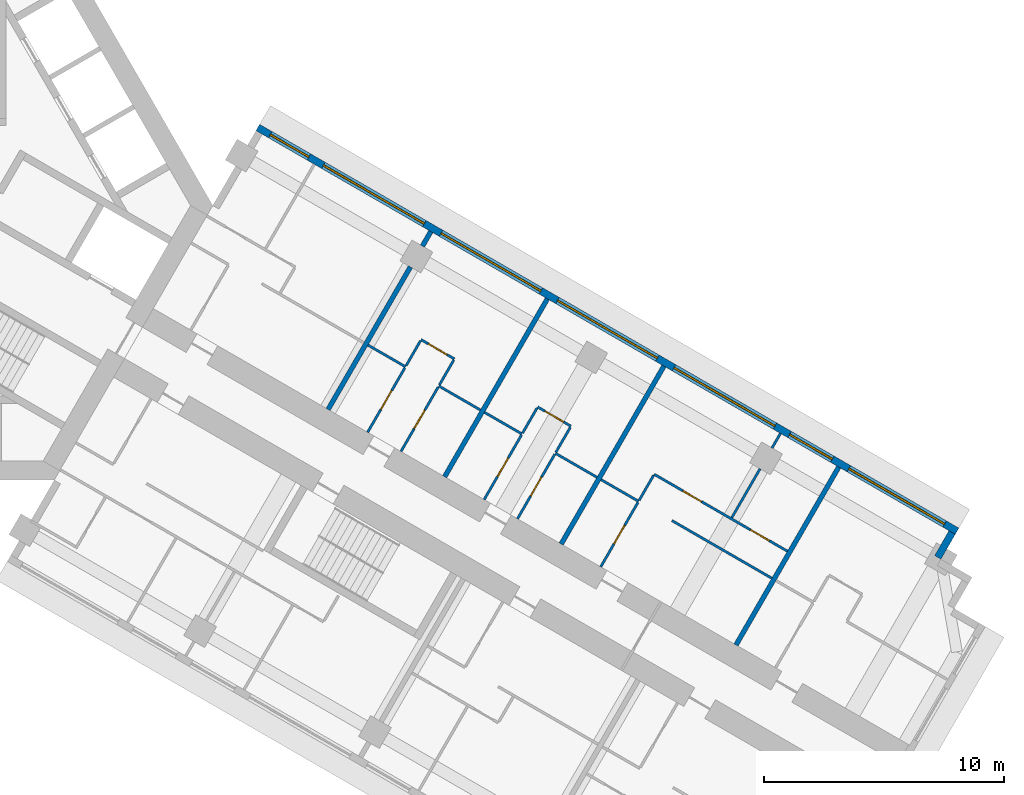
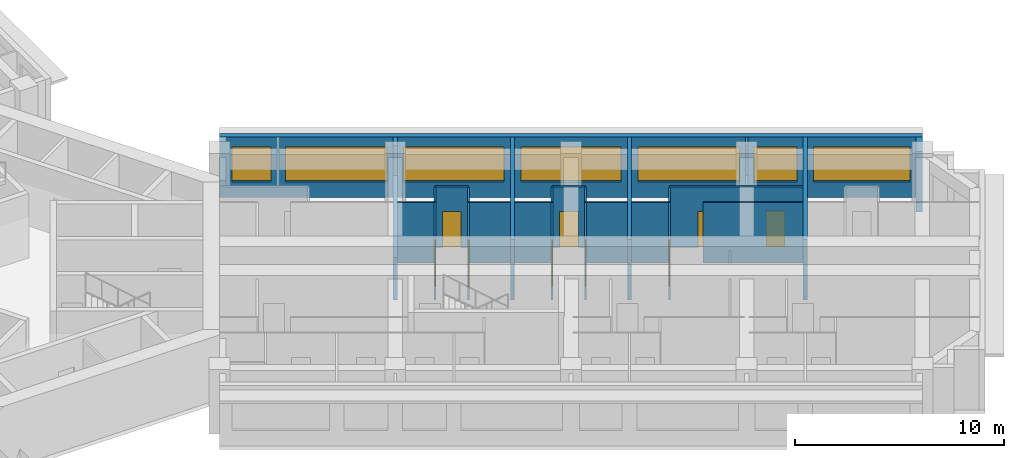
# One storey, part 12 of 14: 28 walls, 9 doors, 7 windows, 16 openings.
"""IFC4 building model written with IfcOpenShell, lengths in metres."""

import ifcopenshell
import ifcopenshell.guid

model = None  # the IFC model being written
_history = None  # IfcOwnerHistory: only IFC2X3 demands one
_inside = {}  # id of a spatial element -> (the spatial element, [elements in it])
_under = {}  # id of a project, library or spatial element -> (it, [spatial elements below it])
_declared = {}  # id of a project -> (the project, [libraries it declares])
_typed = {}  # id of a type object -> (the type object, [elements of that type])
_made_of = {}  # id of a material, layer set ... -> (it, [elements and type objects made of it])


def new_model(schema):
    """Start an empty IFC model of exactly this schema.

    Asked for "IFC4X3", IfcOpenShell would pick the latest addendum, in which some entities
    have other attributes; the version numbers below select the first issue.
    IFC2X3 requires an IfcOwnerHistory on every rooted entity: one is made here for all.
    """
    global model, _history
    if schema == "IFC4X3":
        model = ifcopenshell.file(schema_version=(4, 3, 0, 0))
    else:
        model = ifcopenshell.file(schema=schema)
    _inside.clear()
    _under.clear()
    _declared.clear()
    _typed.clear()
    _made_of.clear()
    _history = None
    if model.schema == "IFC2X3":
        org = make("IfcOrganization", Name="unknown")
        user = make(
            "IfcPersonAndOrganization",
            ThePerson=make("IfcPerson", FamilyName="unknown"),
            TheOrganization=org,
        )
        app = make(
            "IfcApplication",
            ApplicationDeveloper=org,
            Version="unknown",
            ApplicationFullName="unknown",
            ApplicationIdentifier="unknown",
        )
        _history = make(
            "IfcOwnerHistory",
            OwningUser=user,
            OwningApplication=app,
            ChangeAction="ADDED",
            CreationDate=0,
        )
    return model


def make(cls, **values):
    """One entity of the class cls with the attributes given. An attribute that is None is left unset."""
    return model.create_entity(
        cls, **{name: value for name, value in values.items() if value is not None}
    )


def rooted(cls, **values):
    """An entity with a GlobalId (a new one), such as an element, a storey or a relation."""
    return make(cls, GlobalId=ifcopenshell.guid.new(), OwnerHistory=_history, **values)


def si_unit(unit_type, name, prefix=None):
    """IfcSIUnit, for example si_unit("LENGTHUNIT", "METRE", prefix="MILLI")."""
    return make("IfcSIUnit", UnitType=unit_type, Prefix=prefix, Name=name)


def assignment(units):
    """IfcUnitAssignment: the units of a project."""
    return None if units is None else make("IfcUnitAssignment", Units=units)


def point(xyz):
    """IfcCartesianPoint."""
    return None if xyz is None else make("IfcCartesianPoint", Coordinates=xyz)


def direction(xyz):
    """IfcDirection."""
    return None if xyz is None else make("IfcDirection", DirectionRatios=xyz)


def frame(location, z_axis=None, x_axis=None):
    """IfcAxis2Placement3D, a coordinate frame: its origin and axes. An axis left out is left unset."""
    return make(
        "IfcAxis2Placement3D",
        Location=point(location),
        Axis=direction(z_axis),
        RefDirection=direction(x_axis),
    )


def frame_2d(location, x_axis=None):
    """IfcAxis2Placement2D, a coordinate frame in the plane: its origin and x axis."""
    return make(
        "IfcAxis2Placement2D", Location=point(location), RefDirection=direction(x_axis)
    )


def origin():
    """The frame at (0, 0, 0) with its axes left unset."""
    return frame((0.0, 0.0, 0.0))


def place(relative_to, where):
    """IfcLocalPlacement: puts the frame where relative to a parent placement (None: the world)."""
    return make(
        "IfcLocalPlacement", PlacementRelTo=relative_to, RelativePlacement=where
    )


def context(
    kind, dimensions, precision=None, world=None, true_north=None, identifier=None
):
    """IfcGeometricRepresentationContext, for example the 3D "Model" context."""
    return make(
        "IfcGeometricRepresentationContext",
        ContextIdentifier=identifier,
        ContextType=kind,
        CoordinateSpaceDimension=dimensions,
        Precision=precision,
        WorldCoordinateSystem=world,
        TrueNorth=true_north,
    )


def subcontext(parent, identifier, kind, view, scale=None):
    """IfcGeometricRepresentationSubContext, for example "Body" below "Model"."""
    return make(
        "IfcGeometricRepresentationSubContext",
        ContextIdentifier=identifier,
        ContextType=kind,
        ParentContext=parent,
        TargetScale=scale,
        TargetView=view,
    )


def project(units=None, contexts=None):
    """IfcProject with its units and contexts."""
    return rooted(
        "IfcProject",
        Name="project",
        RepresentationContexts=contexts,
        UnitsInContext=assignment(units),
    )


def spatial(cls, under=None, at=None, **own):
    """A site, building, storey or space (cls), placed at a placement, below another one or the project."""
    s = rooted(cls, ObjectPlacement=at, **own)
    if under is not None:
        _under.setdefault(under.id(), (under, []))[1].append(s)
    return s


def profile(cls, at=None, kind="AREA", **sizes):
    """A parametric profile (cls). Its sizes go by their IFC names, for example OverallWidth=200.0."""
    return make(cls, ProfileType=kind, Position=at, **sizes)


def rectangle(**sizes):
    """IfcRectangleProfileDef."""
    return profile("IfcRectangleProfileDef", **sizes)


def extrude(swept, where, along, depth):
    """IfcExtrudedAreaSolid: the profile swept, set in the frame where, extruded along a direction by depth."""
    return make(
        "IfcExtrudedAreaSolid",
        SweptArea=swept,
        Position=where,
        ExtrudedDirection=direction(along),
        Depth=depth,
    )


def shape(context_of_items, identifier, shape_type, items):
    """IfcShapeRepresentation: the items that make up one representation, for example the "Body"."""
    return make(
        "IfcShapeRepresentation",
        ContextOfItems=context_of_items,
        RepresentationIdentifier=identifier,
        RepresentationType=shape_type,
        Items=items,
    )


def material(Name=None, Category=None):
    """IfcMaterial."""
    return make("IfcMaterial", Name=Name, Category=Category)


def layer(
    of_material, thickness, ventilated=None, Name=None, Category=None, Priority=None
):
    """IfcMaterialLayer: one layer of a wall or slab, of a material (None: an air gap)."""
    return make(
        "IfcMaterialLayer",
        Material=of_material,
        LayerThickness=thickness,
        IsVentilated=ventilated,
        Name=Name,
        Category=Category,
        Priority=Priority,
    )


def layer_set(layers, Name=None):
    """IfcMaterialLayerSet."""
    return make("IfcMaterialLayerSet", MaterialLayers=layers, LayerSetName=Name)


def made_of(thing, what):
    """Note that an element or type object is made of a material, layer set ...; save() writes the relation."""
    if what is not None:
        _made_of.setdefault(what.id(), (what, []))[1].append(thing)
    return thing


def type_object(cls, material=None, **own):
    """A type object (cls), such as IfcWallType, which elements share."""
    return made_of(rooted(cls, **own), material)


def element(
    cls,
    number,
    at=None,
    inside=None,
    cuts=None,
    type_object=None,
    material=None,
    context=None,
    identifier="Body",
    shape_type=None,
    held_by="IfcProductDefinitionShape",
    body=None,
    shapes=None,
    **own,
):
    """One element of the class cls, such as IfcWall. Its Tag is "e" and its number.

    at: its placement. inside: the storey or other place that contains it. cuts: it is an
    opening in that element (IfcRelVoidsElement). A single representation is given by context,
    identifier, shape_type and body (its items); several are given by shapes. held_by: the class
    of the entity that holds the representations. save() writes the other relations.
    """
    e = rooted(cls, Tag="e%d" % number, ObjectPlacement=at, **own)
    if body is not None:
        shapes = [shape(context, identifier, shape_type, body)]
    if shapes is not None:
        e.Representation = make(held_by, Representations=shapes)
    if inside is not None:
        _inside.setdefault(inside.id(), (inside, []))[1].append(e)
    if cuts is not None:
        rooted(
            "IfcRelVoidsElement", RelatingBuildingElement=cuts, RelatedOpeningElement=e
        )
    if type_object is not None:
        _typed.setdefault(type_object.id(), (type_object, []))[1].append(e)
    return made_of(e, material)


def fill(opening, filler):
    """IfcRelFillsElement: the door or window that sits in an opening."""
    return rooted(
        "IfcRelFillsElement",
        RelatingOpeningElement=opening,
        RelatedBuildingElement=filler,
    )


def aggregate(whole, parts):
    """IfcRelAggregates: a whole, such as a stair, and the parts it consists of."""
    return rooted("IfcRelAggregates", RelatingObject=whole, RelatedObjects=parts)


def save(model, path):
    """Write the relations noted so far, then the file.

    IfcRelAggregates (storeys below a building ...), IfcRelContainedInSpatialStructure (elements
    in a storey), IfcRelDefinesByType, IfcRelAssociatesMaterial and IfcRelDeclares: one each for
    every whole, place, type object, material and project.
    """
    for whole, parts in _under.values():
        aggregate(whole, parts)
    for where, things in _inside.values():
        rooted(
            "IfcRelContainedInSpatialStructure",
            RelatedElements=things,
            RelatingStructure=where,
        )
    for kind, things in _typed.values():
        rooted("IfcRelDefinesByType", RelatedObjects=things, RelatingType=kind)
    for what, things in _made_of.values():
        rooted("IfcRelAssociatesMaterial", RelatedObjects=things, RelatingMaterial=what)
    for by, libraries in _declared.values():
        rooted("IfcRelDeclares", RelatingContext=by, RelatedDefinitions=libraries)
    model.write(path)


model = new_model("IFC4")

# Units and contexts
model_context = context("Model", 3, precision=1e-05, world=origin(), true_north=direction((0.0, 1.0)))
body_context = subcontext(model_context, "Body", "Model", "MODEL_VIEW")
ifc_project = project(units=[si_unit("LENGTHUNIT", "METRE"), si_unit("AREAUNIT", "SQUARE_METRE"), si_unit("VOLUMEUNIT", "CUBIC_METRE"), si_unit("PLANEANGLEUNIT", "RADIAN"), si_unit("MASSUNIT", "GRAM", prefix="KILO")], contexts=[model_context])

# Site, building, storey
site_placement = place(None, origin())
site = spatial("IfcSite", under=ifc_project, at=site_placement, CompositionType="ELEMENT")
building_placement = place(site_placement, origin())
building = spatial("IfcBuilding", under=site, at=building_placement, Name="Impinga Residences", CompositionType="ELEMENT")
storey_placement = place(building_placement, frame((0.0, 0.0, 117.25)))
storey = spatial("IfcBuildingStorey", under=building, at=storey_placement, Name="L28", CompositionType="ELEMENT", Elevation=117.25)

# Wall, openings, windows
ifc_material_1 = material(Name="Terracotta rainscreen on blockwork", Category="masonry")
ifc_layer_1 = layer(ifc_material_1, 0.300048828125)
ifc_layer_set_1 = layer_set([ifc_layer_1], Name="EW1 external wall, terracotta rainscreen on blockwork 300")
wall_type_1 = type_object("IfcWallType", Name="EW1 external wall, terracotta rainscreen on blockwork 300", PredefinedType="SOLIDWALL", material=ifc_layer_set_1)
wall_1_placement = place(storey_placement, frame((15.074951171875, 3.24755859375, 0.0), z_axis=(0.0, 0.0, 1.0), x_axis=(0.866024291668, -0.500001926238, 0.0)))
wall_1 = element("IfcWall", 1, at=wall_1_placement, inside=storey, type_object=wall_type_1, Name="External wall EW1 L28", PredefinedType="SOLIDWALL", context=body_context, shape_type="SweptSolid", body=[
    extrude(rectangle(XDim=33.599853515625, YDim=0.300048828125, at=frame_2d((16.7998046875, 0.0))), origin(), (0.0, 0.0, 1.0), 3.530029296875),
])
opening_1_placement = place(wall_1_placement, frame((0.60009765625, 0.0, 0.89990234375)))
opening_1 = element("IfcOpeningElement", 2, at=opening_1_placement, cuts=wall_1, Name="Opening W15", PredefinedType="OPENING", context=body_context, shape_type="SweptSolid", body=[
    extrude(rectangle(XDim=1.85009765625, YDim=2.050048828125, at=frame_2d((0.925048828125, 1.02490234375))), frame((0.0, 0.159912109375, 0.0), z_axis=(0.0, -1.0, 0.0), x_axis=(1.0, 0.0, 0.0)), (0.0, 0.0, 1.0), 0.320068359375),
])
opening_2_placement = place(wall_1_placement, frame((3.14990234375, 0.0, 0.89990234375)))
opening_2 = element("IfcOpeningElement", 3, at=opening_2_placement, cuts=wall_1, Name="Opening W6", PredefinedType="OPENING", context=body_context, shape_type="SweptSolid", body=[
    extrude(rectangle(XDim=4.85009765625, YDim=2.050048828125, at=frame_2d((2.425048828125, 1.02490234375))), frame((0.0, 0.159912109375, 0.0), z_axis=(0.0, -1.0, 0.0), x_axis=(1.0, 0.0, 0.0)), (0.0, 0.0, 1.0), 0.320068359375),
])
opening_3_placement = place(wall_1_placement, frame((8.800048828125, 0.0, 0.89990234375)))
opening_3 = element("IfcOpeningElement", 4, at=opening_3_placement, cuts=wall_1, Name="Opening W8", PredefinedType="OPENING", context=body_context, shape_type="SweptSolid", body=[
    extrude(rectangle(XDim=4.800048828125, YDim=2.050048828125, at=frame_2d((2.39990234375, 1.02490234375))), frame((0.0, 0.159912109375, 0.0), z_axis=(0.0, -1.0, 0.0), x_axis=(1.0, 0.0, 0.0)), (0.0, 0.0, 1.0), 0.320068359375),
])
opening_4_placement = place(wall_1_placement, frame((14.39990234375, 0.0, 0.89990234375)))
opening_4 = element("IfcOpeningElement", 5, at=opening_4_placement, cuts=wall_1, Name="Opening W8", PredefinedType="OPENING", context=body_context, shape_type="SweptSolid", body=[
    extrude(rectangle(XDim=4.800048828125, YDim=2.050048828125, at=frame_2d((2.39990234375, 1.02490234375))), frame((0.0, 0.159912109375, 0.0), z_axis=(0.0, -1.0, 0.0), x_axis=(1.0, 0.0, 0.0)), (0.0, 0.0, 1.0), 0.320068359375),
])
opening_5_placement = place(wall_1_placement, frame((20.0, 0.0, 0.89990234375)))
opening_5 = element("IfcOpeningElement", 6, at=opening_5_placement, cuts=wall_1, Name="Opening W6", PredefinedType="OPENING", context=body_context, shape_type="SweptSolid", body=[
    extrude(rectangle(XDim=4.85009765625, YDim=2.050048828125, at=frame_2d((2.425048828125, 1.02490234375))), frame((0.0, 0.159912109375, 0.0), z_axis=(0.0, -1.0, 0.0), x_axis=(1.0, 0.0, 0.0)), (0.0, 0.0, 1.0), 0.320068359375),
])
opening_6_placement = place(wall_1_placement, frame((25.550048828125, 0.0, 0.89990234375)))
opening_6 = element("IfcOpeningElement", 7, at=opening_6_placement, cuts=wall_1, Name="Opening W14", PredefinedType="OPENING", context=body_context, shape_type="SweptSolid", body=[
    extrude(rectangle(XDim=2.050048828125, YDim=2.050048828125, at=frame_2d((1.02490234375, 1.02490234375))), frame((0.0, 0.159912109375, 0.0), z_axis=(0.0, -1.0, 0.0), x_axis=(1.0, 0.0, 0.0)), (0.0, 0.0, 1.0), 0.320068359375),
])
opening_7_placement = place(wall_1_placement, frame((28.39990234375, 0.0, 0.89990234375)))
opening_7 = element("IfcOpeningElement", 8, at=opening_7_placement, cuts=wall_1, Name="Opening W3", PredefinedType="OPENING", context=body_context, shape_type="SweptSolid", body=[
    extrude(rectangle(XDim=4.60009765625, YDim=2.050048828125, at=frame_2d((2.300048828125, 1.02490234375))), frame((0.0, 0.159912109375, 0.0), z_axis=(0.0, -1.0, 0.0), x_axis=(1.0, 0.0, 0.0)), (0.0, 0.0, 1.0), 0.320068359375),
])
ifc_material_2 = material(Name="Aluminium window, clear double glazing", Category="aluminium")
window_type_1 = type_object("IfcWindowType", Name="W14 ribbon window 2050x2050", PartitioningType="SINGLE_PANEL", PredefinedType="WINDOW", material=ifc_material_2)
window_1_placement = place(opening_6_placement, origin())
window_1 = element("IfcWindow", 9, at=window_1_placement, inside=storey, type_object=window_type_1, Name="Window L28", OverallHeight=2.050048828125, OverallWidth=2.050048828125, PartitioningType="SINGLE_PANEL", PredefinedType="WINDOW", context=body_context, shape_type="SweptSolid", body=[
    extrude(rectangle(XDim=2.050048828125, YDim=2.050048828125, at=frame_2d((1.02490234375, 1.02490234375))), frame((0.0, 0.030029296875, 0.0), z_axis=(0.0, -1.0, 0.0), x_axis=(1.0, 0.0, 0.0)), (0.0, 0.0, 1.0), 0.06005859375),
])
fill(opening_6, window_1)
window_type_2 = type_object("IfcWindowType", Name="W15 ribbon window 1850x2050", PartitioningType="SINGLE_PANEL", PredefinedType="WINDOW", material=ifc_material_2)
window_2_placement = place(opening_1_placement, origin())
window_2 = element("IfcWindow", 10, at=window_2_placement, inside=storey, type_object=window_type_2, Name="Window L28", OverallHeight=2.050048828125, OverallWidth=1.85009765625, PartitioningType="SINGLE_PANEL", PredefinedType="WINDOW", context=body_context, shape_type="SweptSolid", body=[
    extrude(rectangle(XDim=1.85009765625, YDim=2.050048828125, at=frame_2d((0.925048828125, 1.02490234375))), frame((0.0, 0.030029296875, 0.0), z_axis=(0.0, -1.0, 0.0), x_axis=(1.0, 0.0, 0.0)), (0.0, 0.0, 1.0), 0.06005859375),
])
fill(opening_1, window_2)
window_type_3 = type_object("IfcWindowType", Name="W3 ribbon window 4600x2050", PartitioningType="SINGLE_PANEL", PredefinedType="WINDOW", material=ifc_material_2)
window_3_placement = place(opening_7_placement, origin())
window_3 = element("IfcWindow", 11, at=window_3_placement, inside=storey, type_object=window_type_3, Name="Window L28", OverallHeight=2.050048828125, OverallWidth=4.60009765625, PartitioningType="SINGLE_PANEL", PredefinedType="WINDOW", context=body_context, shape_type="SweptSolid", body=[
    extrude(rectangle(XDim=4.60009765625, YDim=2.050048828125, at=frame_2d((2.300048828125, 1.02490234375))), frame((0.0, 0.030029296875, 0.0), z_axis=(0.0, -1.0, 0.0), x_axis=(1.0, 0.0, 0.0)), (0.0, 0.0, 1.0), 0.06005859375),
])
fill(opening_7, window_3)
window_type_4 = type_object("IfcWindowType", Name="W6 ribbon window 4850x2050", PartitioningType="SINGLE_PANEL", PredefinedType="WINDOW", material=ifc_material_2)
window_4_placement = place(opening_2_placement, origin())
window_4 = element("IfcWindow", 12, at=window_4_placement, inside=storey, type_object=window_type_4, Name="Window L28", OverallHeight=2.050048828125, OverallWidth=4.85009765625, PartitioningType="SINGLE_PANEL", PredefinedType="WINDOW", context=body_context, shape_type="SweptSolid", body=[
    extrude(rectangle(XDim=4.85009765625, YDim=2.050048828125, at=frame_2d((2.425048828125, 1.02490234375))), frame((0.0, 0.030029296875, 0.0), z_axis=(0.0, -1.0, 0.0), x_axis=(1.0, 0.0, 0.0)), (0.0, 0.0, 1.0), 0.06005859375),
])
fill(opening_2, window_4)
window_5_placement = place(opening_5_placement, origin())
window_5 = element("IfcWindow", 13, at=window_5_placement, inside=storey, type_object=window_type_4, Name="Window L28", OverallHeight=2.050048828125, OverallWidth=4.85009765625, PartitioningType="SINGLE_PANEL", PredefinedType="WINDOW", context=body_context, shape_type="SweptSolid", body=[
    extrude(rectangle(XDim=4.85009765625, YDim=2.050048828125, at=frame_2d((2.425048828125, 1.02490234375))), frame((0.0, 0.030029296875, 0.0), z_axis=(0.0, -1.0, 0.0), x_axis=(1.0, 0.0, 0.0)), (0.0, 0.0, 1.0), 0.06005859375),
])
fill(opening_5, window_5)
window_type_5 = type_object("IfcWindowType", Name="W8 ribbon window 4800x2050", PartitioningType="SINGLE_PANEL", PredefinedType="WINDOW", material=ifc_material_2)
window_6_placement = place(opening_3_placement, origin())
window_6 = element("IfcWindow", 14, at=window_6_placement, inside=storey, type_object=window_type_5, Name="Window L28", OverallHeight=2.050048828125, OverallWidth=4.800048828125, PartitioningType="SINGLE_PANEL", PredefinedType="WINDOW", context=body_context, shape_type="SweptSolid", body=[
    extrude(rectangle(XDim=4.800048828125, YDim=2.050048828125, at=frame_2d((2.39990234375, 1.02490234375))), frame((0.0, 0.030029296875, 0.0), z_axis=(0.0, -1.0, 0.0), x_axis=(1.0, 0.0, 0.0)), (0.0, 0.0, 1.0), 0.06005859375),
])
fill(opening_3, window_6)
window_7_placement = place(opening_4_placement, origin())
window_7 = element("IfcWindow", 15, at=window_7_placement, inside=storey, type_object=window_type_5, Name="Window L28", OverallHeight=2.050048828125, OverallWidth=4.800048828125, PartitioningType="SINGLE_PANEL", PredefinedType="WINDOW", context=body_context, shape_type="SweptSolid", body=[
    extrude(rectangle(XDim=4.800048828125, YDim=2.050048828125, at=frame_2d((2.39990234375, 1.02490234375))), frame((0.0, 0.030029296875, 0.0), z_axis=(0.0, -1.0, 0.0), x_axis=(1.0, 0.0, 0.0)), (0.0, 0.0, 1.0), 0.06005859375),
])
fill(opening_4, window_7)

# Walls
wall_2_placement = place(storey_placement, frame((43.968505859375, -13.607421875, 0.0), z_axis=(0.0, 0.0, 1.0), x_axis=(-0.500029051137, -0.866008630453, 0.0)))
element("IfcWall", 16, at=wall_2_placement, inside=storey, type_object=wall_type_1, Name="External wall EW1 L28", PredefinedType="SOLIDWALL", context=body_context, shape_type="SweptSolid", body=[
    extrude(rectangle(XDim=1.19482421875, YDim=0.300048828125, at=frame_2d((0.597412109375, 0.0))), origin(), (0.0, 0.0, 1.0), 3.530029296875),
])
ifc_material_3 = material(Name="Gypsum board on steel studs", Category="steel")
ifc_layer_2 = layer(ifc_material_3, 0.10009765625)
ifc_layer_set_2 = layer_set([ifc_layer_2], Name="Gypsum board on steel studs")
wall_type_2 = type_object("IfcWallType", Name="IP1 partition 100", PredefinedType="PARTITIONING", material=ifc_layer_set_2)
wall_3_placement = place(storey_placement, frame((19.6611328125, -5.808837890625, 0.0), z_axis=(0.0, 0.0, 1.0), x_axis=(0.866047807691, -0.499961193289, 0.0)))
element("IfcWall", 17, at=wall_3_placement, inside=storey, type_object=wall_type_2, Name="Partition L28-EA2:DIV0", PredefinedType="PARTITIONING", context=body_context, shape_type="SweptSolid", body=[
    extrude(rectangle(XDim=1.800048828125, YDim=0.10009765625, at=frame_2d((0.89990234375, 0.0))), origin(), (0.0, 0.0, 1.0), 3.530029296875),
])
wall_4_placement = place(storey_placement, frame((22.605712890625, -7.5087890625, 0.0), z_axis=(0.0, 0.0, 1.0), x_axis=(0.866010750942, -0.50002537861, 0.0)))
element("IfcWall", 18, at=wall_4_placement, inside=storey, type_object=wall_type_2, Name="Partition L28-EA2:DIV1", PredefinedType="PARTITIONING", context=body_context, shape_type="SweptSolid", body=[
    extrude(rectangle(XDim=2.0, YDim=0.10009765625, at=frame_2d((1.0, 0.0))), origin(), (0.0, 0.0, 1.0), 3.530029296875),
])

# Wall, opening, door
wall_5_placement = place(storey_placement, frame((21.8701171875, -5.5830078125, 0.0), z_axis=(0.0, 0.0, 1.0), x_axis=(0.865989903783, -0.500061482766, 0.0)))
wall_5 = element("IfcWall", 19, at=wall_5_placement, inside=storey, type_object=wall_type_2, Name="Partition L28-EA2:STRIP", PredefinedType="PARTITIONING", context=body_context, shape_type="SweptSolid", body=[
    extrude(rectangle(XDim=1.599853515625, YDim=0.10009765625, at=frame_2d((0.7998046875, 0.0))), origin(), (0.0, 0.0, 1.0), 3.530029296875),
])
opening_8_placement = place(wall_5_placement, frame((0.35009765625, 0.0, 0.0)))
opening_8 = element("IfcOpeningElement", 20, at=opening_8_placement, cuts=wall_5, Name="Opening D2", PredefinedType="OPENING", context=body_context, shape_type="SweptSolid", body=[
    extrude(rectangle(XDim=0.89990234375, YDim=2.10009765625, at=frame_2d((0.449951171875, 1.050048828125))), frame((0.0, 0.06005859375, 0.0), z_axis=(0.0, -1.0, 0.0), x_axis=(1.0, 0.0, 0.0)), (0.0, 0.0, 1.0), 0.1201171875),
])
ifc_material_4 = material(Name="Timber door set", Category="wood")
door_type = type_object("IfcDoorType", Name="D2 internal door 900x2100", OperationType="SINGLE_SWING_LEFT", PredefinedType="DOOR", material=ifc_material_4)
door_1_placement = place(opening_8_placement, origin())
door_1 = element("IfcDoor", 21, at=door_1_placement, inside=storey, type_object=door_type, Name="Apartment L28-EA2 room door", OperationType="SINGLE_SWING_LEFT", OverallHeight=2.10009765625, OverallWidth=0.89990234375, PredefinedType="DOOR", context=body_context, shape_type="SweptSolid", body=[
    extrude(rectangle(XDim=0.89990234375, YDim=2.10009765625, at=frame_2d((0.449951171875, 1.050048828125))), frame((0.0, 0.02490234375, 0.0), z_axis=(0.0, -1.0, 0.0), x_axis=(1.0, 0.0, 0.0)), (0.0, 0.0, 1.0), 0.050048828125),
])
fill(opening_8, door_1)

# Walls
wall_6_placement = place(storey_placement, frame((21.2451171875, -6.66552734375, 0.0), z_axis=(0.0, 0.0, 1.0), x_axis=(0.499880961361, 0.866094119867, 0.0)))
element("IfcWall", 22, at=wall_6_placement, inside=storey, type_object=wall_type_2, Name="Partition L28-EA2:SE0", PredefinedType="PARTITIONING", context=body_context, shape_type="SweptSolid", body=[
    extrude(rectangle(XDim=1.199951171875, YDim=0.10009765625, at=frame_2d((0.60009765625, 0.0))), origin(), (0.0, 0.0, 1.0), 3.530029296875),
])
wall_7_placement = place(storey_placement, frame((22.630615234375, -7.465576171875, 0.0), z_axis=(0.0, 0.0, 1.0), x_axis=(0.500033551112, 0.866006032174, 0.0)))
element("IfcWall", 23, at=wall_7_placement, inside=storey, type_object=wall_type_2, Name="Partition L28-EA2:SE1", PredefinedType="PARTITIONING", context=body_context, shape_type="SweptSolid", body=[
    extrude(rectangle(XDim=1.2001953125, YDim=0.10009765625, at=frame_2d((0.60009765625, 0.0))), origin(), (0.0, 0.0, 1.0), 3.530029296875),
])

# Wall, opening, door
wall_8_placement = place(storey_placement, frame((19.64501953125, -9.436767578125, 0.0), z_axis=(0.0, 0.0, 1.0), x_axis=(0.500026960575, 0.86600983753, 0.0)))
wall_8 = element("IfcWall", 24, at=wall_8_placement, inside=storey, type_object=wall_type_2, Name="Partition L28-EA2:IB1", PredefinedType="PARTITIONING", context=body_context, shape_type="SweptSolid", body=[
    extrude(rectangle(XDim=3.099853515625, YDim=0.10009765625, at=frame_2d((1.5498046875, 0.0))), origin(), (0.0, 0.0, 1.0), 3.530029296875),
])
opening_9_placement = place(wall_8_placement, frame((1.10009765625, 0.0, 0.0)))
opening_9 = element("IfcOpeningElement", 25, at=opening_9_placement, cuts=wall_8, Name="Opening D2", PredefinedType="OPENING", context=body_context, shape_type="SweptSolid", body=[
    extrude(rectangle(XDim=0.89990234375, YDim=2.10009765625, at=frame_2d((0.449951171875, 1.050048828125))), frame((0.0, 0.06005859375, 0.0), z_axis=(0.0, -1.0, 0.0), x_axis=(1.0, 0.0, 0.0)), (0.0, 0.0, 1.0), 0.1201171875),
])
door_2_placement = place(opening_9_placement, origin())
door_2 = element("IfcDoor", 26, at=door_2_placement, inside=storey, type_object=door_type, Name="Apartment L28-EA2 bathroom door", OperationType="SINGLE_SWING_LEFT", OverallHeight=2.10009765625, OverallWidth=0.89990234375, PredefinedType="DOOR", context=body_context, shape_type="SweptSolid", body=[
    extrude(rectangle(XDim=0.89990234375, YDim=2.10009765625, at=frame_2d((0.449951171875, 1.050048828125))), frame((0.0, 0.02490234375, 0.0), z_axis=(0.0, -1.0, 0.0), x_axis=(1.0, 0.0, 0.0)), (0.0, 0.0, 1.0), 0.050048828125),
])
fill(opening_9, door_2)

wall_9_placement = place(storey_placement, frame((21.03076171875, -10.23681640625, 0.0), z_axis=(0.0, 0.0, 1.0), x_axis=(0.500026960575, 0.86600983753, 0.0)))
wall_9 = element("IfcWall", 27, at=wall_9_placement, inside=storey, type_object=wall_type_2, Name="Partition L28-EA2:IB2", PredefinedType="PARTITIONING", context=body_context, shape_type="SweptSolid", body=[
    extrude(rectangle(XDim=3.099853515625, YDim=0.10009765625, at=frame_2d((1.5498046875, 0.0))), origin(), (0.0, 0.0, 1.0), 3.530029296875),
])
opening_10_placement = place(wall_9_placement, frame((1.10009765625, 0.0, 0.0)))
opening_10 = element("IfcOpeningElement", 28, at=opening_10_placement, cuts=wall_9, Name="Opening D2", PredefinedType="OPENING", context=body_context, shape_type="SweptSolid", body=[
    extrude(rectangle(XDim=0.89990234375, YDim=2.10009765625, at=frame_2d((0.449951171875, 1.050048828125))), frame((0.0, 0.06005859375, 0.0), z_axis=(0.0, -1.0, 0.0), x_axis=(1.0, 0.0, 0.0)), (0.0, 0.0, 1.0), 0.1201171875),
])
door_3_placement = place(opening_10_placement, origin())
door_3 = element("IfcDoor", 29, at=door_3_placement, inside=storey, type_object=door_type, Name="Apartment L28-EA2 WC door", OperationType="SINGLE_SWING_LEFT", OverallHeight=2.10009765625, OverallWidth=0.89990234375, PredefinedType="DOOR", context=body_context, shape_type="SweptSolid", body=[
    extrude(rectangle(XDim=0.89990234375, YDim=2.10009765625, at=frame_2d((0.449951171875, 1.050048828125))), frame((0.0, 0.02490234375, 0.0), z_axis=(0.0, -1.0, 0.0), x_axis=(1.0, 0.0, 0.0)), (0.0, 0.0, 1.0), 0.050048828125),
])
fill(opening_10, door_3)

# Walls
wall_10_placement = place(storey_placement, frame((24.510986328125, -8.60888671875, 0.0), z_axis=(0.0, 0.0, 1.0), x_axis=(0.866047807691, -0.499961193289, 0.0)))
element("IfcWall", 30, at=wall_10_placement, inside=storey, type_object=wall_type_2, Name="Partition L28-EA3:DIV0", PredefinedType="PARTITIONING", context=body_context, shape_type="SweptSolid", body=[
    extrude(rectangle(XDim=1.800048828125, YDim=0.10009765625, at=frame_2d((0.89990234375, 0.0))), origin(), (0.0, 0.0, 1.0), 3.530029296875),
])
wall_11_placement = place(storey_placement, frame((27.45556640625, -10.308837890625, 0.0), z_axis=(0.0, 0.0, 1.0), x_axis=(0.866010750942, -0.50002537861, 0.0)))
element("IfcWall", 31, at=wall_11_placement, inside=storey, type_object=wall_type_2, Name="Partition L28-EA3:DIV1", PredefinedType="PARTITIONING", context=body_context, shape_type="SweptSolid", body=[
    extrude(rectangle(XDim=2.0, YDim=0.10009765625, at=frame_2d((1.0, 0.0))), origin(), (0.0, 0.0, 1.0), 3.530029296875),
])

# Wall, opening, door
wall_12_placement = place(storey_placement, frame((26.7197265625, -8.383056640625, 0.0), z_axis=(0.0, 0.0, 1.0), x_axis=(0.866028054938, -0.499995408039, 0.0)))
wall_12 = element("IfcWall", 32, at=wall_12_placement, inside=storey, type_object=wall_type_2, Name="Partition L28-EA3:STRIP", PredefinedType="PARTITIONING", context=body_context, shape_type="SweptSolid", body=[
    extrude(rectangle(XDim=1.60009765625, YDim=0.10009765625, at=frame_2d((0.800048828125, 0.0))), origin(), (0.0, 0.0, 1.0), 3.530029296875),
])
opening_11_placement = place(wall_12_placement, frame((0.35009765625, 0.0, 0.0)))
opening_11 = element("IfcOpeningElement", 33, at=opening_11_placement, cuts=wall_12, Name="Opening D2", PredefinedType="OPENING", context=body_context, shape_type="SweptSolid", body=[
    extrude(rectangle(XDim=0.89990234375, YDim=2.10009765625, at=frame_2d((0.449951171875, 1.050048828125))), frame((0.0, 0.06005859375, 0.0), z_axis=(0.0, -1.0, 0.0), x_axis=(1.0, 0.0, 0.0)), (0.0, 0.0, 1.0), 0.1201171875),
])
door_4_placement = place(opening_11_placement, origin())
door_4 = element("IfcDoor", 34, at=door_4_placement, inside=storey, type_object=door_type, Name="Apartment L28-EA3 room door", OperationType="SINGLE_SWING_LEFT", OverallHeight=2.10009765625, OverallWidth=0.89990234375, PredefinedType="DOOR", context=body_context, shape_type="SweptSolid", body=[
    extrude(rectangle(XDim=0.89990234375, YDim=2.10009765625, at=frame_2d((0.449951171875, 1.050048828125))), frame((0.0, 0.02490234375, 0.0), z_axis=(0.0, -1.0, 0.0), x_axis=(1.0, 0.0, 0.0)), (0.0, 0.0, 1.0), 0.050048828125),
])
fill(opening_11, door_4)

# Walls
for number, where, z_axis, x_axis, name in (
    (35, (26.0947265625, -9.465576171875, 0.0), (0.0, 0.0, 1.0), (0.500033551112, 0.866006032174, 0.0), "Partition L28-EA3:SE0"),
    (36, (27.48046875, -10.265625, 0.0), (0.0, 0.0, 1.0), (0.500033551112, 0.866006032174, 0.0), "Partition L28-EA3:SE1"),
):
    element("IfcWall", number, at=place(storey_placement, frame(where, z_axis=z_axis, x_axis=x_axis)), inside=storey, type_object=wall_type_2, Name=name, PredefinedType="PARTITIONING", context=body_context, shape_type="SweptSolid", body=[
        extrude(rectangle(XDim=1.2001953125, YDim=0.10009765625, at=frame_2d((0.60009765625, 0.0))), origin(), (0.0, 0.0, 1.0), 3.530029296875),
    ])

# Wall, opening, door
wall_13_placement = place(storey_placement, frame((24.494873046875, -12.23681640625, 0.0), z_axis=(0.0, 0.0, 1.0), x_axis=(0.500026960575, 0.86600983753, 0.0)))
wall_13 = element("IfcWall", 37, at=wall_13_placement, inside=storey, type_object=wall_type_2, Name="Partition L28-EA3:IB1", PredefinedType="PARTITIONING", context=body_context, shape_type="SweptSolid", body=[
    extrude(rectangle(XDim=3.099853515625, YDim=0.10009765625, at=frame_2d((1.5498046875, 0.0))), origin(), (0.0, 0.0, 1.0), 3.530029296875),
])
opening_12_placement = place(wall_13_placement, frame((1.10009765625, 0.0, 0.0)))
opening_12 = element("IfcOpeningElement", 38, at=opening_12_placement, cuts=wall_13, Name="Opening D2", PredefinedType="OPENING", context=body_context, shape_type="SweptSolid", body=[
    extrude(rectangle(XDim=0.89990234375, YDim=2.10009765625, at=frame_2d((0.449951171875, 1.050048828125))), frame((0.0, 0.06005859375, 0.0), z_axis=(0.0, -1.0, 0.0), x_axis=(1.0, 0.0, 0.0)), (0.0, 0.0, 1.0), 0.1201171875),
])
door_5_placement = place(opening_12_placement, origin())
door_5 = element("IfcDoor", 39, at=door_5_placement, inside=storey, type_object=door_type, Name="Apartment L28-EA3 bathroom door", OperationType="SINGLE_SWING_LEFT", OverallHeight=2.10009765625, OverallWidth=0.89990234375, PredefinedType="DOOR", context=body_context, shape_type="SweptSolid", body=[
    extrude(rectangle(XDim=0.89990234375, YDim=2.10009765625, at=frame_2d((0.449951171875, 1.050048828125))), frame((0.0, 0.02490234375, 0.0), z_axis=(0.0, -1.0, 0.0), x_axis=(1.0, 0.0, 0.0)), (0.0, 0.0, 1.0), 0.050048828125),
])
fill(opening_12, door_5)

wall_14_placement = place(storey_placement, frame((25.88037109375, -13.036865234375, 0.0), z_axis=(0.0, 0.0, 1.0), x_axis=(0.49999285859, 0.86602952684, 0.0)))
wall_14 = element("IfcWall", 40, at=wall_14_placement, inside=storey, type_object=wall_type_2, Name="Partition L28-EA3:IB2", PredefinedType="PARTITIONING", context=body_context, shape_type="SweptSolid", body=[
    extrude(rectangle(XDim=3.10009765625, YDim=0.10009765625, at=frame_2d((1.550048828125, 0.0))), origin(), (0.0, 0.0, 1.0), 3.530029296875),
])
opening_13_placement = place(wall_14_placement, frame((1.10009765625, 0.0, 0.0)))
opening_13 = element("IfcOpeningElement", 41, at=opening_13_placement, cuts=wall_14, Name="Opening D2", PredefinedType="OPENING", context=body_context, shape_type="SweptSolid", body=[
    extrude(rectangle(XDim=0.89990234375, YDim=2.10009765625, at=frame_2d((0.449951171875, 1.050048828125))), frame((0.0, 0.06005859375, 0.0), z_axis=(0.0, -1.0, 0.0), x_axis=(1.0, 0.0, 0.0)), (0.0, 0.0, 1.0), 0.1201171875),
])
door_6_placement = place(opening_13_placement, origin())
door_6 = element("IfcDoor", 42, at=door_6_placement, inside=storey, type_object=door_type, Name="Apartment L28-EA3 WC door", OperationType="SINGLE_SWING_LEFT", OverallHeight=2.10009765625, OverallWidth=0.89990234375, PredefinedType="DOOR", context=body_context, shape_type="SweptSolid", body=[
    extrude(rectangle(XDim=0.89990234375, YDim=2.10009765625, at=frame_2d((0.449951171875, 1.050048828125))), frame((0.0, 0.02490234375, 0.0), z_axis=(0.0, -1.0, 0.0), x_axis=(1.0, 0.0, 0.0)), (0.0, 0.0, 1.0), 0.050048828125),
])
fill(opening_13, door_6)

# Walls
wall_15_placement = place(storey_placement, frame((29.360595703125, -11.408935546875, 0.0), z_axis=(0.0, 0.0, 1.0), x_axis=(0.866047807691, -0.499961193289, 0.0)))
element("IfcWall", 43, at=wall_15_placement, inside=storey, type_object=wall_type_2, Name="Partition L28-EA4:DIV0", PredefinedType="PARTITIONING", context=body_context, shape_type="SweptSolid", body=[
    extrude(rectangle(XDim=1.800048828125, YDim=0.10009765625, at=frame_2d((0.89990234375, 0.0))), origin(), (0.0, 0.0, 1.0), 3.530029296875),
])
wall_16_placement = place(storey_placement, frame((32.30517578125, -13.10888671875, 0.0), z_axis=(0.0, 0.0, 1.0), x_axis=(0.866037363387, -0.499979284789, 0.0)))
element("IfcWall", 44, at=wall_16_placement, inside=storey, type_object=wall_type_2, Name="Partition L28-EA4:DIV1", PredefinedType="PARTITIONING", context=body_context, shape_type="SweptSolid", body=[
    extrude(rectangle(XDim=4.800048828125, YDim=0.10009765625, at=frame_2d((2.39990234375, 0.0))), origin(), (0.0, 0.0, 1.0), 3.530029296875),
])

# Wall, openings, doors
wall_17_placement = place(storey_placement, frame((31.569580078125, -11.18310546875, 0.0), z_axis=(0.0, 0.0, 1.0), x_axis=(0.866025499775, -0.499999833739, 0.0)))
wall_17 = element("IfcWall", 45, at=wall_17_placement, inside=storey, type_object=wall_type_2, Name="Partition L28-EA4:STRIP", PredefinedType="PARTITIONING", context=body_context, shape_type="SweptSolid", body=[
    extrude(rectangle(XDim=6.39990234375, YDim=0.10009765625, at=frame_2d((3.199951171875, 0.0))), origin(), (0.0, 0.0, 1.0), 3.530029296875),
])
opening_14_placement = place(wall_17_placement, frame((1.375, 0.0, 0.0)))
opening_14 = element("IfcOpeningElement", 46, at=opening_14_placement, cuts=wall_17, Name="Opening D2", PredefinedType="OPENING", context=body_context, shape_type="SweptSolid", body=[
    extrude(rectangle(XDim=0.89990234375, YDim=2.10009765625, at=frame_2d((0.449951171875, 1.050048828125))), frame((0.0, 0.06005859375, 0.0), z_axis=(0.0, -1.0, 0.0), x_axis=(1.0, 0.0, 0.0)), (0.0, 0.0, 1.0), 0.1201171875),
])
opening_15_placement = place(wall_17_placement, frame((4.625, 0.0, 0.0)))
opening_15 = element("IfcOpeningElement", 47, at=opening_15_placement, cuts=wall_17, Name="Opening D2", PredefinedType="OPENING", context=body_context, shape_type="SweptSolid", body=[
    extrude(rectangle(XDim=0.89990234375, YDim=2.10009765625, at=frame_2d((0.449951171875, 1.050048828125))), frame((0.0, 0.06005859375, 0.0), z_axis=(0.0, -1.0, 0.0), x_axis=(1.0, 0.0, 0.0)), (0.0, 0.0, 1.0), 0.1201171875),
])
door_7_placement = place(opening_14_placement, origin())
door_7 = element("IfcDoor", 48, at=door_7_placement, inside=storey, type_object=door_type, Name="Apartment L28-EA4 room door", OperationType="SINGLE_SWING_LEFT", OverallHeight=2.10009765625, OverallWidth=0.89990234375, PredefinedType="DOOR", context=body_context, shape_type="SweptSolid", body=[
    extrude(rectangle(XDim=0.89990234375, YDim=2.10009765625, at=frame_2d((0.449951171875, 1.050048828125))), frame((0.0, 0.02490234375, 0.0), z_axis=(0.0, -1.0, 0.0), x_axis=(1.0, 0.0, 0.0)), (0.0, 0.0, 1.0), 0.050048828125),
])
fill(opening_14, door_7)
door_8_placement = place(opening_15_placement, origin())
door_8 = element("IfcDoor", 49, at=door_8_placement, inside=storey, type_object=door_type, Name="Apartment L28-EA4 room door", OperationType="SINGLE_SWING_RIGHT", OverallHeight=2.10009765625, OverallWidth=0.89990234375, PredefinedType="DOOR", context=body_context, shape_type="SweptSolid", body=[
    extrude(rectangle(XDim=0.89990234375, YDim=2.10009765625, at=frame_2d((0.449951171875, 1.050048828125))), frame((0.0, 0.02490234375, 0.0), z_axis=(0.0, -1.0, 0.0), x_axis=(1.0, 0.0, 0.0)), (0.0, 0.0, 1.0), 0.050048828125),
])
fill(opening_15, door_8)

# Wall
wall_18_placement = place(storey_placement, frame((30.944580078125, -12.265625, 0.0), z_axis=(0.0, 0.0, 1.0), x_axis=(0.499880961361, 0.866094119867, 0.0)))
element("IfcWall", 50, at=wall_18_placement, inside=storey, type_object=wall_type_2, Name="Partition L28-EA4:SE0", PredefinedType="PARTITIONING", context=body_context, shape_type="SweptSolid", body=[
    extrude(rectangle(XDim=1.199951171875, YDim=0.10009765625, at=frame_2d((0.60009765625, 0.0))), origin(), (0.0, 0.0, 1.0), 3.530029296875),
])

# Wall, opening, door
wall_19_placement = place(storey_placement, frame((29.344482421875, -15.036865234375, 0.0), z_axis=(0.0, 0.0, 1.0), x_axis=(0.49999285859, 0.86602952684, 0.0)))
wall_19 = element("IfcWall", 51, at=wall_19_placement, inside=storey, type_object=wall_type_2, Name="Partition L28-EA4:IB1", PredefinedType="PARTITIONING", context=body_context, shape_type="SweptSolid", body=[
    extrude(rectangle(XDim=3.10009765625, YDim=0.10009765625, at=frame_2d((1.550048828125, 0.0))), origin(), (0.0, 0.0, 1.0), 3.530029296875),
])
opening_16_placement = place(wall_19_placement, frame((1.10009765625, 0.0, 0.0)))
opening_16 = element("IfcOpeningElement", 52, at=opening_16_placement, cuts=wall_19, Name="Opening D2", PredefinedType="OPENING", context=body_context, shape_type="SweptSolid", body=[
    extrude(rectangle(XDim=0.89990234375, YDim=2.10009765625, at=frame_2d((0.449951171875, 1.050048828125))), frame((0.0, 0.06005859375, 0.0), z_axis=(0.0, -1.0, 0.0), x_axis=(1.0, 0.0, 0.0)), (0.0, 0.0, 1.0), 0.1201171875),
])
door_9_placement = place(opening_16_placement, origin())
door_9 = element("IfcDoor", 53, at=door_9_placement, inside=storey, type_object=door_type, Name="Apartment L28-EA4 bathroom door", OperationType="SINGLE_SWING_LEFT", OverallHeight=2.10009765625, OverallWidth=0.89990234375, PredefinedType="DOOR", context=body_context, shape_type="SweptSolid", body=[
    extrude(rectangle(XDim=0.89990234375, YDim=2.10009765625, at=frame_2d((0.449951171875, 1.050048828125))), frame((0.0, 0.02490234375, 0.0), z_axis=(0.0, -1.0, 0.0), x_axis=(1.0, 0.0, 0.0)), (0.0, 0.0, 1.0), 0.050048828125),
])
fill(opening_16, door_9)

# Walls
wall_20_placement = place(storey_placement, frame((34.798828125, -12.98974609375, 0.0), z_axis=(0.0, 0.0, 1.0), x_axis=(0.500016218704, 0.866016039709, 0.0)))
element("IfcWall", 54, at=wall_20_placement, inside=storey, type_object=wall_type_2, Name="Partition L28-EA4:OB1", PredefinedType="PARTITIONING", context=body_context, shape_type="SweptSolid", body=[
    extrude(rectangle(XDim=2.35009765625, YDim=0.10009765625, at=frame_2d((1.175048828125, 0.0))), origin(), (0.0, 0.0, 1.0), 2.47998046875),
])
wall_21_placement = place(storey_placement, frame((36.473876953125, -10.088623046875, 0.0), z_axis=(0.0, 0.0, 1.0), x_axis=(0.499853302173, 0.866110083249, 0.0)))
element("IfcWall", 55, at=wall_21_placement, inside=storey, type_object=wall_type_2, Name="Partition L28-EA4:OB1b", PredefinedType="PARTITIONING", context=body_context, shape_type="SweptSolid", body=[
    extrude(rectangle(XDim=0.699951171875, YDim=0.10009765625, at=frame_2d((0.35009765625, 0.0))), origin(), (0.0, 0.0, 1.0), 3.530029296875),
])
ifc_material_5 = material(Name="Concrete blockwork", Category="masonry")
ifc_layer_3 = layer(ifc_material_5, 0.199951171875)
ifc_layer_set_3 = layer_set([ifc_layer_3], Name="PW1 party wall between apartments 200")
wall_type_3 = type_object("IfcWallType", Name="PW1 party wall between apartments 200", PredefinedType="SOLIDWALL", material=ifc_layer_set_3)
wall_22_placement = place(storey_placement, frame((17.99951171875, -8.48681640625, 0.0), z_axis=(0.0, 0.0, 1.0), x_axis=(0.499999086063, 0.866025931445, 0.0)))
element("IfcWall", 56, at=wall_22_placement, inside=storey, type_object=wall_type_3, Name="Party wall between apartments L28-EA1:PARTY", PredefinedType="SOLIDWALL", context=body_context, shape_type="SweptSolid", body=[
    extrude(rectangle(XDim=6.85009765625, YDim=0.199951171875, at=frame_2d((3.425048828125, 0.0))), origin(), (0.0, 0.0, 1.0), 2.47998046875),
])
wall_23_placement = place(storey_placement, frame((21.924560546875, -1.6884765625, 0.0), z_axis=(0.0, 0.0, 1.0), x_axis=(0.500114896893, 0.865959057869, 0.0)))
element("IfcWall", 57, at=wall_23_placement, inside=storey, type_object=wall_type_3, Name="Party wall between apartments L28-EA1:PARTYb", PredefinedType="SOLIDWALL", context=body_context, shape_type="SweptSolid", body=[
    extrude(rectangle(XDim=0.699951171875, YDim=0.199951171875, at=frame_2d((0.35009765625, 0.0))), origin(), (0.0, 0.0, 1.0), 3.530029296875),
])
for number, where, z_axis, x_axis, name in (
    (58, (22.849365234375, -11.286865234375, 0.0), (0.0, 0.0, 1.0), (0.499990227581, 0.86603104582, 0.0), "Party wall between apartments L28-EA2:PARTY"),
    (59, (27.69921875, -14.0869140625, 0.0), (0.0, 0.0, 1.0), (0.499990227581, 0.86603104582, 0.0), "Party wall between apartments L28-EA3:PARTY"),
    (60, (34.9736328125, -18.286865234375, 0.0), (0.0, 0.0, 1.0), (0.500011643316, 0.866018681408, 0.0), "Party wall between apartments L28-EA4:PARTY"),
):
    element("IfcWall", number, at=place(storey_placement, frame(where, z_axis=z_axis, x_axis=x_axis)), inside=storey, type_object=wall_type_3, Name=name, PredefinedType="SOLIDWALL", context=body_context, shape_type="SweptSolid", body=[
        extrude(rectangle(XDim=8.550048828125, YDim=0.199951171875, at=frame_2d((4.27490234375, 0.0))), origin(), (0.0, 0.0, 1.0), 3.530029296875),
    ])

save(model, "model.ifc")
